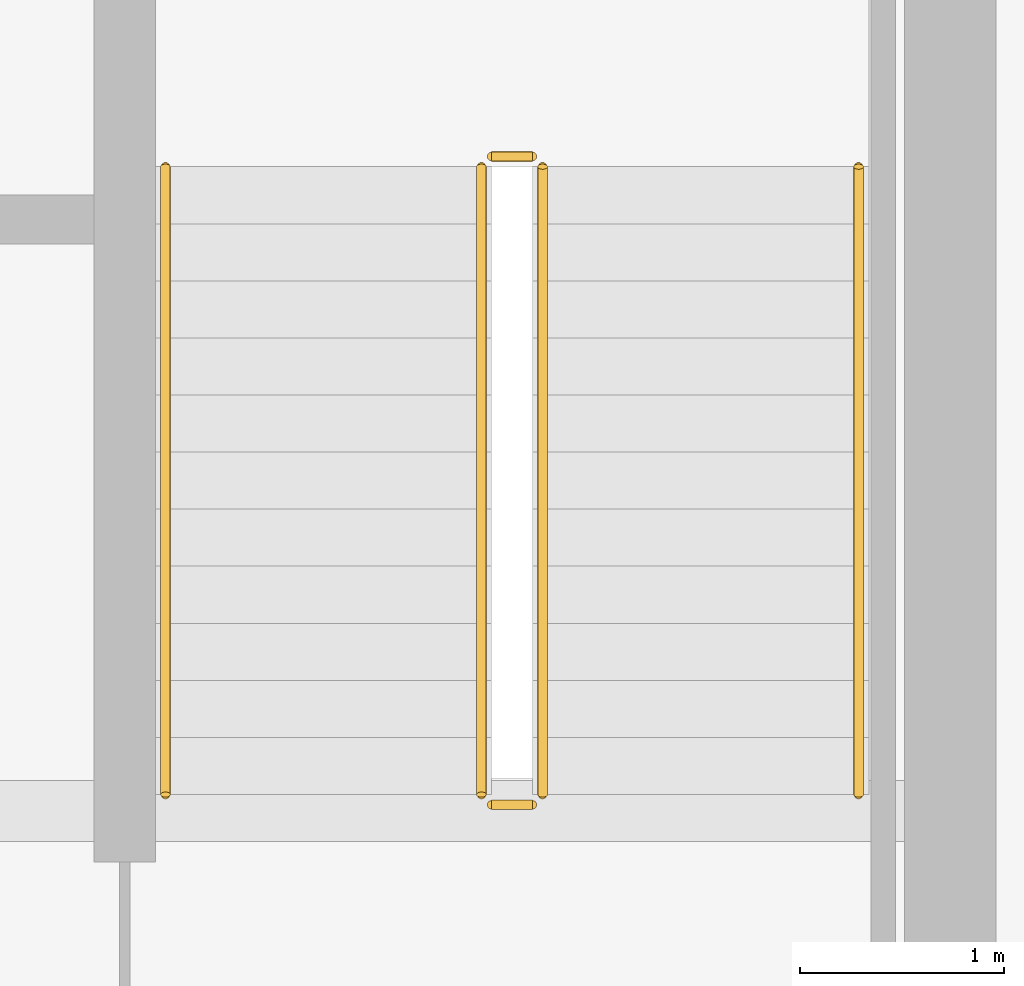
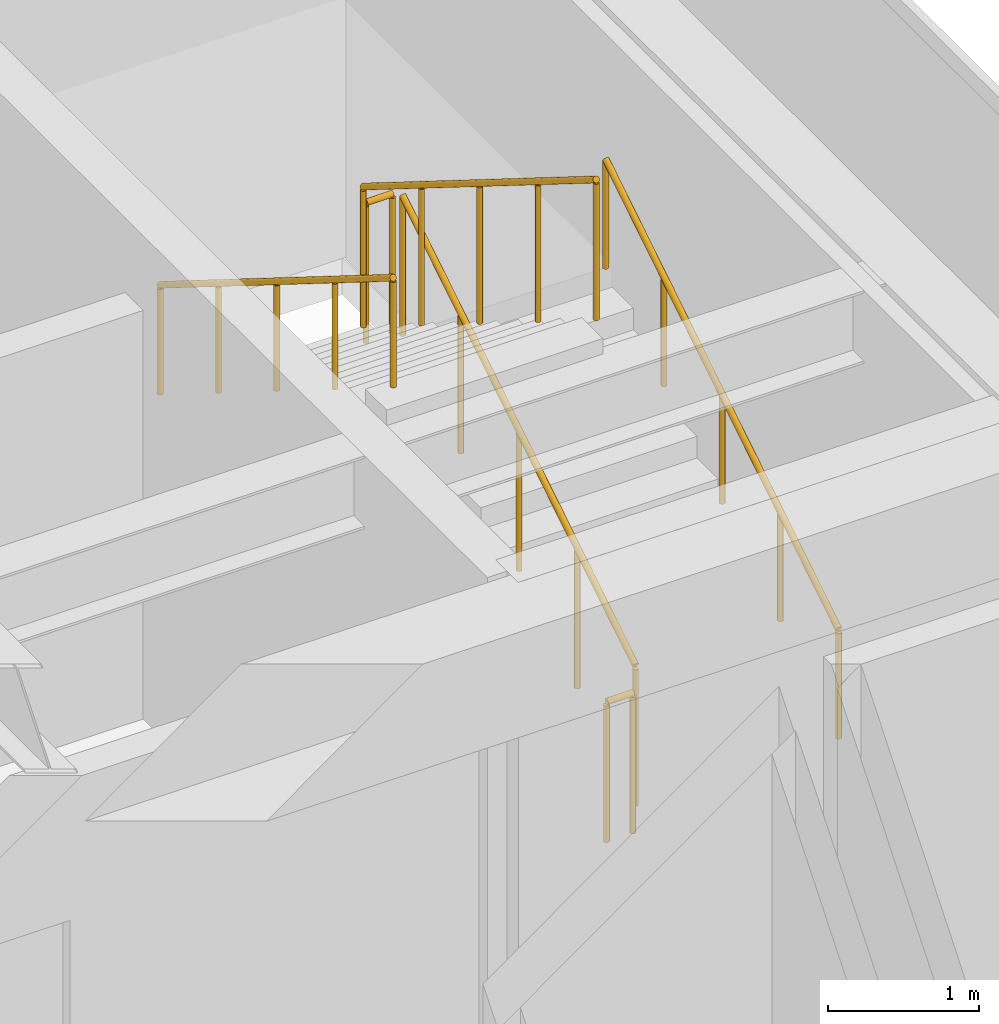
# One storey, part 34 of 34: 6 railings.
"""IFC4 building model written with IfcOpenShell, lengths in metres."""

from ifc_helpers import new_model, si_unit, direction, frame, origin, origin_2d, place, context, subcontext, project, spatial, circle, extrude, source, transform, mapped, material, type_object, type_shapes, element, save


model = new_model("IFC4")

# Units and contexts
model_context = context("Model", 3, precision=1e-05, world=origin(), true_north=direction((0.0, 1.0)))
body_context = subcontext(model_context, "Body", "Model", "MODEL_VIEW")
ifc_project = project(units=[si_unit("LENGTHUNIT", "METRE"), si_unit("AREAUNIT", "SQUARE_METRE"), si_unit("VOLUMEUNIT", "CUBIC_METRE"), si_unit("PLANEANGLEUNIT", "RADIAN"), si_unit("MASSUNIT", "GRAM", prefix="KILO")], contexts=[model_context])

# Site, building, storey
site_placement = place(None, origin())
site = spatial("IfcSite", under=ifc_project, at=site_placement, CompositionType="ELEMENT")
building_placement = place(site_placement, origin())
building = spatial("IfcBuilding", under=site, at=building_placement, Name="Haelvirn Gate Laboratories", CompositionType="ELEMENT")
storey_placement = place(building_placement, frame((0.0, 0.0, 297.60009765625)))
storey = spatial("IfcBuildingStorey", under=building, at=storey_placement, Name="L71", CompositionType="ELEMENT", Elevation=297.60009765625)

# Railings
ifc_material_1 = material(Name="Galvanised steel SM355 & stainless top rail", Category="steel")
railing_type_1 = type_object("IfcRailingType", Name="RL-GUARD-1150", PredefinedType="GUARDRAIL", material=ifc_material_1)
shared_shape_1 = source(origin(), body_context, "Body", "SweptSolid", [
    extrude(circle(Radius=0.02392578125, at=origin_2d()), frame((0.0, 0.0, 1.1259765625), z_axis=(0.0, 0.847998304005, 0.529998940003), x_axis=(-1.0, 0.0, 0.0)), (0.0, 0.0, 1.0), 3.632080078125),
    extrude(circle(Radius=0.02099609375, at=origin_2d()), origin(), (0.0, 0.0, 1.0), 1.101806640625),
    extrude(circle(Radius=0.02099609375, at=origin_2d()), frame((0.0, 0.77001953125, 0.481201171875)), (0.0, 0.0, 1.0), 1.101806640625),
    extrude(circle(Radius=0.02099609375, at=origin_2d()), frame((0.0, 1.5400390625, 0.96240234375)), (0.0, 0.0, 1.0), 1.101806640625),
    extrude(circle(Radius=0.02099609375, at=origin_2d()), frame((0.0, 2.31005859375, 1.44384765625)), (0.0, 0.0, 1.0), 1.101806640625),
    extrude(circle(Radius=0.02099609375, at=origin_2d()), frame((0.0, 3.080078125, 1.925048828125)), (0.0, 0.0, 1.0), 1.101806640625),
])
railing_1_placement = place(storey_placement, frame((65.39990234375, 26.699951171875, 0.1748046875)))
element("IfcRailing", 1, at=railing_1_placement, inside=storey, type_object=railing_type_1, Name="L71 ST2 stair guard 1", PredefinedType="GUARDRAIL", context=body_context, shape_type="MappedRepresentation", body=[
    mapped(shared_shape_1, transform((0.0, 0.0, 0.0), scale=1.0)),
])
shared_shape_2 = source(origin(), body_context, "Body", "SweptSolid", [
    extrude(circle(Radius=0.02392578125, at=origin_2d()), frame((0.0, 0.0, 1.1259765625), z_axis=(0.0, -0.847998304005, 0.529998940003), x_axis=(1.0, 0.0, 0.0)), (0.0, 0.0, 1.0), 3.632080078125),
    extrude(circle(Radius=0.02099609375, at=origin_2d()), origin(), (0.0, 0.0, 1.0), 1.101806640625),
    extrude(circle(Radius=0.02099609375, at=origin_2d()), frame((0.0, -0.77001953125, 0.481201171875)), (0.0, 0.0, 1.0), 1.101806640625),
    extrude(circle(Radius=0.02099609375, at=origin_2d()), frame((0.0, -1.5400390625, 0.96240234375)), (0.0, 0.0, 1.0), 1.101806640625),
    extrude(circle(Radius=0.02099609375, at=origin_2d()), frame((0.0, -2.31005859375, 1.44384765625)), (0.0, 0.0, 1.0), 1.101806640625),
    extrude(circle(Radius=0.02099609375, at=origin_2d()), frame((0.0, -3.080078125, 1.925048828125)), (0.0, 0.0, 1.0), 1.101806640625),
])
railing_2_placement = place(storey_placement, frame((65.10009765625, 29.780029296875, 2.27490234375)))
element("IfcRailing", 2, at=railing_2_placement, inside=storey, type_object=railing_type_1, Name="L71 ST2 stair guard 3", PredefinedType="GUARDRAIL", context=body_context, shape_type="MappedRepresentation", body=[
    mapped(shared_shape_2, transform((0.0, 0.0, 0.0), scale=1.0)),
])
ifc_material_2 = material(Name="Brushed stainless steel 316L", Category="steel")
railing_type_2 = type_object("IfcRailingType", Name="RL-HAND-920", PredefinedType="HANDRAIL", material=ifc_material_2)
shared_shape_3 = source(origin(), body_context, "Body", "SweptSolid", [
    extrude(circle(Radius=0.02392578125, at=origin_2d()), frame((0.0, 0.0, 0.8759765625), z_axis=(0.0, 0.847998304005, 0.529998940003), x_axis=(-1.0, 0.0, 0.0)), (0.0, 0.0, 1.0), 3.632080078125),
    extrude(circle(Radius=0.02099609375, at=origin_2d()), origin(), (0.0, 0.0, 1.0), 0.851806640625),
    extrude(circle(Radius=0.02099609375, at=origin_2d()), frame((0.0, 0.77001953125, 0.481201171875)), (0.0, 0.0, 1.0), 0.851806640625),
    extrude(circle(Radius=0.02099609375, at=origin_2d()), frame((0.0, 1.5400390625, 0.96240234375)), (0.0, 0.0, 1.0), 0.851806640625),
    extrude(circle(Radius=0.02099609375, at=origin_2d()), frame((0.0, 2.31005859375, 1.44384765625)), (0.0, 0.0, 1.0), 0.851806640625),
    extrude(circle(Radius=0.02099609375, at=origin_2d()), frame((0.0, 3.080078125, 1.925048828125)), (0.0, 0.0, 1.0), 0.851806640625),
])
railing_3_placement = place(storey_placement, frame((66.949951171875, 26.699951171875, 0.1748046875)))
element("IfcRailing", 3, at=railing_3_placement, inside=storey, type_object=railing_type_2, Name="L71 ST2 stair handrail 1", PredefinedType="HANDRAIL", context=body_context, shape_type="MappedRepresentation", body=[
    mapped(shared_shape_3, transform((0.0, 0.0, 0.0), scale=1.0)),
])
shared_shape_4 = source(origin(), body_context, "Body", "SweptSolid", [
    extrude(circle(Radius=0.02392578125, at=origin_2d()), frame((0.0, 0.0, 0.8759765625), z_axis=(0.0, -0.847998304005, 0.529998940003), x_axis=(1.0, 0.0, 0.0)), (0.0, 0.0, 1.0), 3.632080078125),
    extrude(circle(Radius=0.02099609375, at=origin_2d()), origin(), (0.0, 0.0, 1.0), 0.851806640625),
    extrude(circle(Radius=0.02099609375, at=origin_2d()), frame((0.0, -0.77001953125, 0.481201171875)), (0.0, 0.0, 1.0), 0.851806640625),
    extrude(circle(Radius=0.02099609375, at=origin_2d()), frame((0.0, -1.5400390625, 0.96240234375)), (0.0, 0.0, 1.0), 0.851806640625),
    extrude(circle(Radius=0.02099609375, at=origin_2d()), frame((0.0, -2.31005859375, 1.44384765625)), (0.0, 0.0, 1.0), 0.851806640625),
    extrude(circle(Radius=0.02099609375, at=origin_2d()), frame((0.0, -3.080078125, 1.925048828125)), (0.0, 0.0, 1.0), 0.851806640625),
])
type_shapes(railing_type_2, [shared_shape_3, shared_shape_4])
railing_4_placement = place(storey_placement, frame((63.550048828125, 29.780029296875, 2.27490234375)))
element("IfcRailing", 4, at=railing_4_placement, inside=storey, type_object=railing_type_2, Name="L71 ST2 stair handrail 2", PredefinedType="HANDRAIL", context=body_context, shape_type="MappedRepresentation", body=[
    mapped(shared_shape_4, transform((0.0, 0.0, 0.0), scale=1.0)),
])
shared_shape_5 = source(origin(), body_context, "Body", "SweptSolid", [
    extrude(circle(Radius=0.02392578125, at=origin_2d()), frame((0.0, 0.0, 1.1259765625), z_axis=(-1.0, 0.0, 0.0), x_axis=(0.0, -1.0, 0.0)), (0.0, 0.0, 1.0), 0.2001953125),
    extrude(circle(Radius=0.02099609375, at=origin_2d()), origin(), (0.0, 0.0, 1.0), 1.101806640625),
    extrude(circle(Radius=0.02099609375, at=origin_2d()), frame((-0.2001953125, 0.0, 0.0)), (0.0, 0.0, 1.0), 1.101806640625),
])
type_shapes(railing_type_1, [shared_shape_1, shared_shape_2, shared_shape_5])
for number, where, name in (
    (5, (65.35009765625, 29.830078125, 2.099853515625), "L71 ST2 stair guard 2"),
    (6, (65.35009765625, 26.64990234375, 0.0), "L71 ST2 stair guard 4"),
):
    element("IfcRailing", number, at=place(storey_placement, frame(where)), inside=storey, type_object=railing_type_1, Name=name, PredefinedType="GUARDRAIL", context=body_context, shape_type="MappedRepresentation", body=[
        mapped(shared_shape_5, transform((0.0, 0.0, 0.0), scale=1.0)),
    ])

save(model, "model.ifc")
